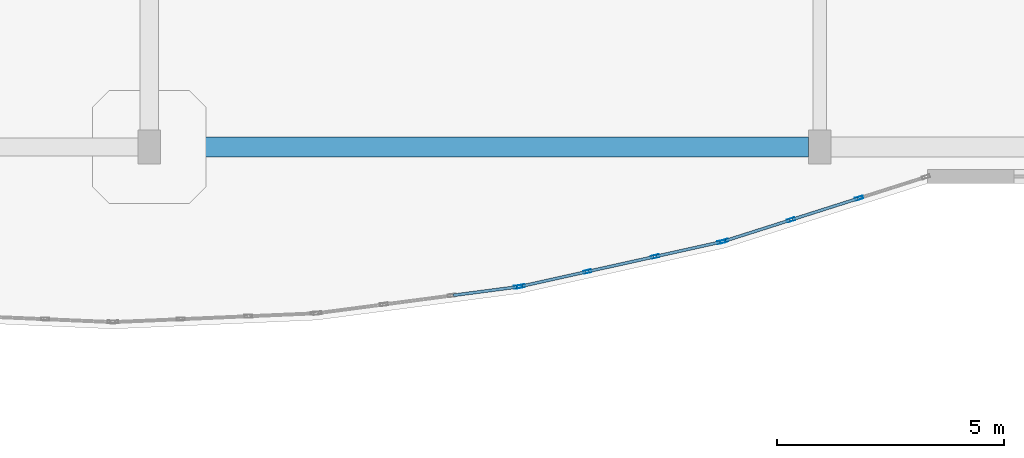
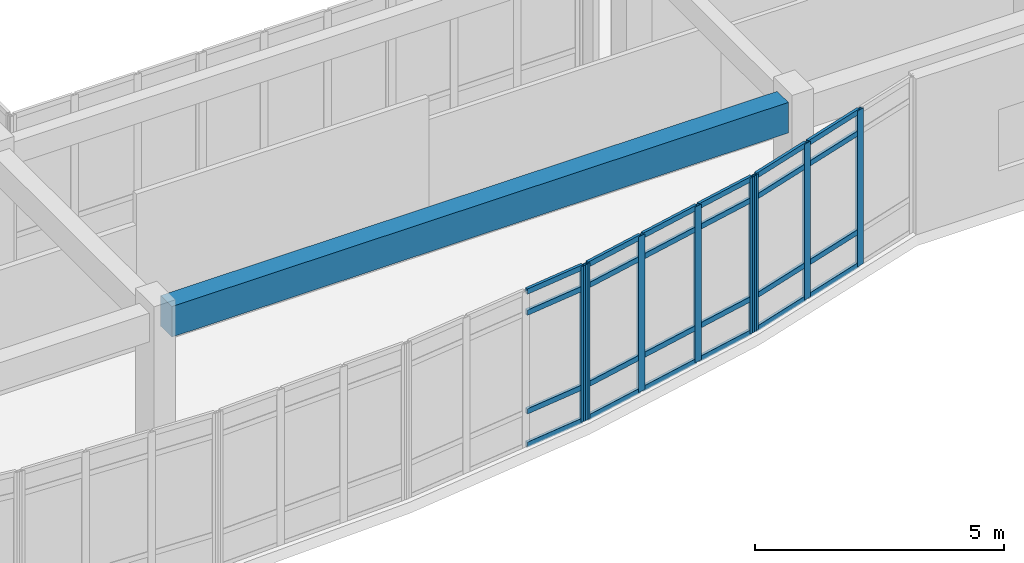
# One storey, part 91 of 146: 32 members, 1 beam, 3 elements without a shape of their own.
"""IFC4 building model written with IfcOpenShell, lengths in metres."""

from ifc_helpers import new_model, si_unit, direction, frame, origin, origin_2d, place, context, subcontext, project, spatial, rectangle, hollow_rectangle, extrude, material, layer, layer_set, material_profile, profile_set, type_object, element, aggregate, save


model = new_model("IFC4")

# Units and contexts
model_context = context("Model", 3, precision=1e-05, world=origin(), true_north=direction((0.0, 1.0)))
body_context = subcontext(model_context, "Body", "Model", "MODEL_VIEW")
ifc_project = project(units=[si_unit("LENGTHUNIT", "METRE"), si_unit("AREAUNIT", "SQUARE_METRE"), si_unit("VOLUMEUNIT", "CUBIC_METRE"), si_unit("PLANEANGLEUNIT", "RADIAN"), si_unit("MASSUNIT", "GRAM", prefix="KILO")], contexts=[model_context])

# Site, building, storey
site_placement = place(None, origin())
site = spatial("IfcSite", under=ifc_project, at=site_placement, CompositionType="ELEMENT")
building_placement = place(site_placement, origin())
building = spatial("IfcBuilding", under=site, at=building_placement, Name="Valcora Specialist Clinic", CompositionType="ELEMENT")
storey_placement = place(building_placement, frame((0.0, 0.0, 9.52001953125)))
storey = spatial("IfcBuildingStorey", under=building, at=storey_placement, Name="L02", CompositionType="ELEMENT", Elevation=9.52001953125)

# Beam
ifc_material_1 = material(Name="Concrete C40/50", Category="concrete")
ifc_material_profile_1 = material_profile(ifc_material_1, rectangle(XDim=0.449951171875, YDim=0.75, at=origin_2d()), Name="RC-BM-450X750")
ifc_profile_set_1 = profile_set([ifc_material_profile_1], Name="Concrete C40/50")
beam_type = type_object("IfcBeamType", Name="TY-BM-RC450X750", PredefinedType="BEAM", material=ifc_profile_set_1)
beam_placement = place(storey_placement, frame((111.449951171875, 74.800048828125, 3.445068359375), z_axis=(1.0, 0.0, 0.0), x_axis=(0.0, 1.0, 0.0)))
element("IfcBeam", 1, at=beam_placement, inside=storey, type_object=beam_type, Name="Beam BM-L02-0701", PredefinedType="BEAM", context=body_context, shape_type="SweptSolid", body=[
    extrude(rectangle(XDim=0.449951171875, YDim=0.75, at=origin_2d()), origin(), (0.0, 0.0, 1.0), 14.300048828125),
])

# Curtain wall, members
ifc_material_2 = material(Name="Anodized Bronze Aluminium 6063-T6", Category="aluminium")
ifc_layer = layer(ifc_material_2, 0.175048828125)
ifc_layer_set = layer_set([ifc_layer], Name="Anodized Bronze Aluminium 6063-T6")
curtain_wall_type = type_object("IfcCurtainWallType", Name="TY-CW-ARC40", PredefinedType="NOTDEFINED", material=ifc_layer_set)
curtain_wall_1_placement = place(storey_placement, origin())
curtain_wall_1 = element("IfcCurtainWall", 2, at=curtain_wall_1_placement, inside=storey, type_object=curtain_wall_type, Name="Curtain wall CW-L02-085", PredefinedType="NOTDEFINED")
ifc_material_profile_2 = material_profile(ifc_material_2, hollow_rectangle(XDim=0.06494140625, YDim=0.175048828125, WallThickness=0.00390625, at=origin_2d()), Name="AL-MUL-65X175")
ifc_profile_set_2 = profile_set([ifc_material_profile_2], Name="Anodized Bronze Aluminium 6063-T6")
member_type_1 = type_object("IfcMemberType", Name="TY-CWM-65X175", PredefinedType="MULLION", material=ifc_profile_set_2)
member_1_placement = place(storey_placement, frame((126.871337890625, 73.6708984375, 0.0), z_axis=(0.0, 0.0, 1.0), x_axis=(0.303233270958, -0.952916356972, 0.0)))
member_1 = element("IfcMember", 3, at=member_1_placement, type_object=member_type_1, Name="CW-ARC-40 mullion 2", PredefinedType="MULLION", context=body_context, shape_type="SweptSolid", body=[
    extrude(hollow_rectangle(XDim=0.06494140625, YDim=0.175048828125, WallThickness=0.00390625, at=origin_2d()), origin(), (0.0, 0.0, 1.0), 3.820068359375),
])
member_2_placement = place(storey_placement, frame((125.3662109375, 73.19189453125, 0.0), z_axis=(0.0, 0.0, 1.0), x_axis=(0.303233270958, -0.952916356972, 0.0)))
member_2 = element("IfcMember", 4, at=member_2_placement, type_object=member_type_1, Name="CW-ARC-40 mullion 3", PredefinedType="MULLION", context=body_context, shape_type="SweptSolid", body=[
    extrude(hollow_rectangle(XDim=0.06494140625, YDim=0.175048828125, WallThickness=0.00390625, at=origin_2d()), origin(), (0.0, 0.0, 1.0), 3.820068359375),
])
member_3_placement = place(storey_placement, frame((123.891845703125, 72.722900390625, 0.0), z_axis=(0.0, 0.0, 1.0), x_axis=(0.303233270958, -0.952916356972, 0.0)))
member_3 = element("IfcMember", 5, at=member_3_placement, type_object=member_type_1, Name="CW-ARC-40 mullion 4", PredefinedType="MULLION", context=body_context, shape_type="SweptSolid", body=[
    extrude(hollow_rectangle(XDim=0.06494140625, YDim=0.175048828125, WallThickness=0.00390625, at=origin_2d()), origin(), (0.0, 0.0, 1.0), 3.820068359375),
])

curtain_wall_2_placement = place(storey_placement, origin())
curtain_wall_2 = element("IfcCurtainWall", 6, at=curtain_wall_2_placement, inside=storey, type_object=curtain_wall_type, Name="Curtain wall CW-L02-086", PredefinedType="NOTDEFINED")
member_4_placement = place(storey_placement, frame((123.8291015625, 72.7060546875, 0.0), z_axis=(0.0, 0.0, 1.0), x_axis=(0.216518052372, -0.976278614432, 0.0)))
member_4 = element("IfcMember", 7, at=member_4_placement, type_object=member_type_1, Name="CW-ARC-40 mullion 1", PredefinedType="MULLION", context=body_context, shape_type="SweptSolid", body=[
    extrude(hollow_rectangle(XDim=0.06494140625, YDim=0.175048828125, WallThickness=0.00390625, at=origin_2d()), origin(), (0.0, 0.0, 1.0), 3.820068359375),
])
member_5_placement = place(storey_placement, frame((122.365234375, 72.38134765625, 0.0), z_axis=(0.0, 0.0, 1.0), x_axis=(0.216518052372, -0.976278614432, 0.0)))
member_5 = element("IfcMember", 8, at=member_5_placement, type_object=member_type_1, Name="CW-ARC-40 mullion 2", PredefinedType="MULLION", context=body_context, shape_type="SweptSolid", body=[
    extrude(hollow_rectangle(XDim=0.06494140625, YDim=0.175048828125, WallThickness=0.00390625, at=origin_2d()), origin(), (0.0, 0.0, 1.0), 3.820068359375),
])
member_6_placement = place(storey_placement, frame((120.86962890625, 72.049560546875, 0.0), z_axis=(0.0, 0.0, 1.0), x_axis=(0.216518052372, -0.976278614432, 0.0)))
member_6 = element("IfcMember", 9, at=member_6_placement, type_object=member_type_1, Name="CW-ARC-40 mullion 3", PredefinedType="MULLION", context=body_context, shape_type="SweptSolid", body=[
    extrude(hollow_rectangle(XDim=0.06494140625, YDim=0.175048828125, WallThickness=0.00390625, at=origin_2d()), origin(), (0.0, 0.0, 1.0), 3.820068359375),
])
member_7_placement = place(storey_placement, frame((119.40576171875, 71.724853515625, 0.0), z_axis=(0.0, 0.0, 1.0), x_axis=(0.216518052372, -0.976278614432, 0.0)))
member_7 = element("IfcMember", 10, at=member_7_placement, type_object=member_type_1, Name="CW-ARC-40 mullion 4", PredefinedType="MULLION", context=body_context, shape_type="SweptSolid", body=[
    extrude(hollow_rectangle(XDim=0.06494140625, YDim=0.175048828125, WallThickness=0.00390625, at=origin_2d()), origin(), (0.0, 0.0, 1.0), 3.820068359375),
])

# Curtain wall, member
curtain_wall_3_placement = place(storey_placement, origin())
curtain_wall_3 = element("IfcCurtainWall", 11, at=curtain_wall_3_placement, inside=storey, type_object=curtain_wall_type, Name="Curtain wall CW-L02-087", PredefinedType="NOTDEFINED")
member_8_placement = place(storey_placement, frame((119.341796875, 71.713623046875, 0.0), z_axis=(0.0, 0.0, 1.0), x_axis=(0.129999492259, -0.991514060421, 0.0)))
member_8 = element("IfcMember", 12, at=member_8_placement, type_object=member_type_1, Name="CW-ARC-40 mullion 1", PredefinedType="MULLION", context=body_context, shape_type="SweptSolid", body=[
    extrude(hollow_rectangle(XDim=0.06494140625, YDim=0.175048828125, WallThickness=0.00390625, at=origin_2d()), origin(), (0.0, 0.0, 1.0), 3.820068359375),
])

# Member
ifc_material_profile_3 = material_profile(ifc_material_2, hollow_rectangle(XDim=0.06494140625, YDim=0.1298828125, WallThickness=0.00390625, at=origin_2d()), Name="AL-TRN-65X130")
ifc_profile_set_3 = profile_set([ifc_material_profile_3], Name="Anodized Bronze Aluminium 6063-T6")
member_type_2 = type_object("IfcMemberType", Name="TY-CWT-65X130", PredefinedType="USERDEFINED", material=ifc_profile_set_3)
member_9_placement = place(storey_placement, frame((126.840576171875, 73.6611328125, 0.032470703125), z_axis=(-0.952930013692, -0.303190351109, 0.0), x_axis=(0.303190351109, -0.952930013692, 0.0)))
member_9 = element("IfcMember", 13, at=member_9_placement, type_object=member_type_2, Name="CW-ARC-40 transom 2.1", ObjectType="TRANSOM", PredefinedType="USERDEFINED", context=body_context, shape_type="SweptSolid", body=[
    extrude(hollow_rectangle(XDim=0.06494140625, YDim=0.1298828125, WallThickness=0.00390625, at=origin_2d()), origin(), (0.0, 0.0, 1.0), 1.5146484375),
])

member_10_placement = place(storey_placement, frame((126.840576171875, 73.6611328125, 0.85009765625), z_axis=(-0.952930013692, -0.303190351109, 0.0), x_axis=(0.303190351109, -0.952930013692, 0.0)))
member_10 = element("IfcMember", 14, at=member_10_placement, type_object=member_type_2, Name="CW-ARC-40 transom 2.2", ObjectType="TRANSOM", PredefinedType="USERDEFINED", context=body_context, shape_type="SweptSolid", body=[
    extrude(hollow_rectangle(XDim=0.06494140625, YDim=0.1298828125, WallThickness=0.00390625, at=origin_2d()), origin(), (0.0, 0.0, 1.0), 1.5146484375),
])

member_11_placement = place(storey_placement, frame((126.840576171875, 73.6611328125, 3.27001953125), z_axis=(-0.952930013692, -0.303190351109, 0.0), x_axis=(0.303190351109, -0.952930013692, 0.0)))
member_11 = element("IfcMember", 15, at=member_11_placement, type_object=member_type_2, Name="CW-ARC-40 transom 2.3", ObjectType="TRANSOM", PredefinedType="USERDEFINED", context=body_context, shape_type="SweptSolid", body=[
    extrude(hollow_rectangle(XDim=0.06494140625, YDim=0.1298828125, WallThickness=0.00390625, at=origin_2d()), origin(), (0.0, 0.0, 1.0), 1.5146484375),
])

member_12_placement = place(storey_placement, frame((126.840576171875, 73.6611328125, 3.78759765625), z_axis=(-0.952930013692, -0.303190351109, 0.0), x_axis=(0.303190351109, -0.952930013692, 0.0)))
member_12 = element("IfcMember", 16, at=member_12_placement, type_object=member_type_2, Name="CW-ARC-40 transom 2.4", ObjectType="TRANSOM", PredefinedType="USERDEFINED", context=body_context, shape_type="SweptSolid", body=[
    extrude(hollow_rectangle(XDim=0.06494140625, YDim=0.1298828125, WallThickness=0.00390625, at=origin_2d()), origin(), (0.0, 0.0, 1.0), 1.5146484375),
])

member_13_placement = place(storey_placement, frame((125.335205078125, 73.18212890625, 0.032470703125), z_axis=(-0.952910635624, -0.303251249816, 0.0), x_axis=(0.303251249816, -0.952910635624, 0.0)))
member_13 = element("IfcMember", 17, at=member_13_placement, type_object=member_type_2, Name="CW-ARC-40 transom 3.1", ObjectType="TRANSOM", PredefinedType="USERDEFINED", context=body_context, shape_type="SweptSolid", body=[
    extrude(hollow_rectangle(XDim=0.06494140625, YDim=0.1298828125, WallThickness=0.00390625, at=origin_2d()), origin(), (0.0, 0.0, 1.0), 1.482177734375),
])

member_14_placement = place(storey_placement, frame((125.335205078125, 73.18212890625, 0.85009765625), z_axis=(-0.952910635624, -0.303251249816, 0.0), x_axis=(0.303251249816, -0.952910635624, 0.0)))
member_14 = element("IfcMember", 18, at=member_14_placement, type_object=member_type_2, Name="CW-ARC-40 transom 3.2", ObjectType="TRANSOM", PredefinedType="USERDEFINED", context=body_context, shape_type="SweptSolid", body=[
    extrude(hollow_rectangle(XDim=0.06494140625, YDim=0.1298828125, WallThickness=0.00390625, at=origin_2d()), origin(), (0.0, 0.0, 1.0), 1.482177734375),
])

member_15_placement = place(storey_placement, frame((125.335205078125, 73.18212890625, 3.27001953125), z_axis=(-0.952910635624, -0.303251249816, 0.0), x_axis=(0.303251249816, -0.952910635624, 0.0)))
member_15 = element("IfcMember", 19, at=member_15_placement, type_object=member_type_2, Name="CW-ARC-40 transom 3.3", ObjectType="TRANSOM", PredefinedType="USERDEFINED", context=body_context, shape_type="SweptSolid", body=[
    extrude(hollow_rectangle(XDim=0.06494140625, YDim=0.1298828125, WallThickness=0.00390625, at=origin_2d()), origin(), (0.0, 0.0, 1.0), 1.482177734375),
])

member_16_placement = place(storey_placement, frame((125.335205078125, 73.18212890625, 3.78759765625), z_axis=(-0.952910635624, -0.303251249816, 0.0), x_axis=(0.303251249816, -0.952910635624, 0.0)))
member_16 = element("IfcMember", 20, at=member_16_placement, type_object=member_type_2, Name="CW-ARC-40 transom 3.4", ObjectType="TRANSOM", PredefinedType="USERDEFINED", context=body_context, shape_type="SweptSolid", body=[
    extrude(hollow_rectangle(XDim=0.06494140625, YDim=0.1298828125, WallThickness=0.00390625, at=origin_2d()), origin(), (0.0, 0.0, 1.0), 1.482177734375),
])

aggregate(curtain_wall_1, [member_1, member_2, member_3, member_9, member_10, member_11, member_12, member_13, member_14, member_15, member_16])

member_17_placement = place(storey_placement, frame((123.79736328125, 72.698974609375, 0.032470703125), z_axis=(-0.976283078872, -0.216497921256, 0.0), x_axis=(0.216497921256, -0.976283078872, 0.0)))
member_17 = element("IfcMember", 21, at=member_17_placement, type_object=member_type_2, Name="CW-ARC-40 transom 1.1", ObjectType="TRANSOM", PredefinedType="USERDEFINED", context=body_context, shape_type="SweptSolid", body=[
    extrude(hollow_rectangle(XDim=0.06494140625, YDim=0.1298828125, WallThickness=0.00390625, at=origin_2d()), origin(), (0.0, 0.0, 1.0), 1.434326171875),
])

member_18_placement = place(storey_placement, frame((123.79736328125, 72.698974609375, 0.85009765625), z_axis=(-0.976283078872, -0.216497921256, 0.0), x_axis=(0.216497921256, -0.976283078872, 0.0)))
member_18 = element("IfcMember", 22, at=member_18_placement, type_object=member_type_2, Name="CW-ARC-40 transom 1.2", ObjectType="TRANSOM", PredefinedType="USERDEFINED", context=body_context, shape_type="SweptSolid", body=[
    extrude(hollow_rectangle(XDim=0.06494140625, YDim=0.1298828125, WallThickness=0.00390625, at=origin_2d()), origin(), (0.0, 0.0, 1.0), 1.434326171875),
])

member_19_placement = place(storey_placement, frame((123.79736328125, 72.698974609375, 3.27001953125), z_axis=(-0.976283078872, -0.216497921256, 0.0), x_axis=(0.216497921256, -0.976283078872, 0.0)))
member_19 = element("IfcMember", 23, at=member_19_placement, type_object=member_type_2, Name="CW-ARC-40 transom 1.3", ObjectType="TRANSOM", PredefinedType="USERDEFINED", context=body_context, shape_type="SweptSolid", body=[
    extrude(hollow_rectangle(XDim=0.06494140625, YDim=0.1298828125, WallThickness=0.00390625, at=origin_2d()), origin(), (0.0, 0.0, 1.0), 1.434326171875),
])

member_20_placement = place(storey_placement, frame((123.79736328125, 72.698974609375, 3.78759765625), z_axis=(-0.976283078872, -0.216497921256, 0.0), x_axis=(0.216497921256, -0.976283078872, 0.0)))
member_20 = element("IfcMember", 24, at=member_20_placement, type_object=member_type_2, Name="CW-ARC-40 transom 1.4", ObjectType="TRANSOM", PredefinedType="USERDEFINED", context=body_context, shape_type="SweptSolid", body=[
    extrude(hollow_rectangle(XDim=0.06494140625, YDim=0.1298828125, WallThickness=0.00390625, at=origin_2d()), origin(), (0.0, 0.0, 1.0), 1.434326171875),
])

member_21_placement = place(storey_placement, frame((122.33349609375, 72.374267578125, 0.032470703125), z_axis=(-0.976277043921, -0.216525133676, 0.0), x_axis=(0.216525133676, -0.976277043921, 0.0)))
member_21 = element("IfcMember", 25, at=member_21_placement, type_object=member_type_2, Name="CW-ARC-40 transom 2.1", ObjectType="TRANSOM", PredefinedType="USERDEFINED", context=body_context, shape_type="SweptSolid", body=[
    extrude(hollow_rectangle(XDim=0.06494140625, YDim=0.1298828125, WallThickness=0.00390625, at=origin_2d()), origin(), (0.0, 0.0, 1.0), 1.467041015625),
])

member_22_placement = place(storey_placement, frame((122.33349609375, 72.374267578125, 0.85009765625), z_axis=(-0.976277043921, -0.216525133676, 0.0), x_axis=(0.216525133676, -0.976277043921, 0.0)))
member_22 = element("IfcMember", 26, at=member_22_placement, type_object=member_type_2, Name="CW-ARC-40 transom 2.2", ObjectType="TRANSOM", PredefinedType="USERDEFINED", context=body_context, shape_type="SweptSolid", body=[
    extrude(hollow_rectangle(XDim=0.06494140625, YDim=0.1298828125, WallThickness=0.00390625, at=origin_2d()), origin(), (0.0, 0.0, 1.0), 1.467041015625),
])

member_23_placement = place(storey_placement, frame((122.33349609375, 72.374267578125, 3.27001953125), z_axis=(-0.976277043921, -0.216525133676, 0.0), x_axis=(0.216525133676, -0.976277043921, 0.0)))
member_23 = element("IfcMember", 27, at=member_23_placement, type_object=member_type_2, Name="CW-ARC-40 transom 2.3", ObjectType="TRANSOM", PredefinedType="USERDEFINED", context=body_context, shape_type="SweptSolid", body=[
    extrude(hollow_rectangle(XDim=0.06494140625, YDim=0.1298828125, WallThickness=0.00390625, at=origin_2d()), origin(), (0.0, 0.0, 1.0), 1.467041015625),
])

member_24_placement = place(storey_placement, frame((122.33349609375, 72.374267578125, 3.78759765625), z_axis=(-0.976277043921, -0.216525133676, 0.0), x_axis=(0.216525133676, -0.976277043921, 0.0)))
member_24 = element("IfcMember", 28, at=member_24_placement, type_object=member_type_2, Name="CW-ARC-40 transom 2.4", ObjectType="TRANSOM", PredefinedType="USERDEFINED", context=body_context, shape_type="SweptSolid", body=[
    extrude(hollow_rectangle(XDim=0.06494140625, YDim=0.1298828125, WallThickness=0.00390625, at=origin_2d()), origin(), (0.0, 0.0, 1.0), 1.467041015625),
])

member_25_placement = place(storey_placement, frame((120.837890625, 72.04248046875, 0.032470703125), z_axis=(-0.976283078872, -0.216497921256, 0.0), x_axis=(0.216497921256, -0.976283078872, 0.0)))
member_25 = element("IfcMember", 29, at=member_25_placement, type_object=member_type_2, Name="CW-ARC-40 transom 3.1", ObjectType="TRANSOM", PredefinedType="USERDEFINED", context=body_context, shape_type="SweptSolid", body=[
    extrude(hollow_rectangle(XDim=0.06494140625, YDim=0.1298828125, WallThickness=0.00390625, at=origin_2d()), origin(), (0.0, 0.0, 1.0), 1.434326171875),
])

member_26_placement = place(storey_placement, frame((120.837890625, 72.04248046875, 0.85009765625), z_axis=(-0.976283078872, -0.216497921256, 0.0), x_axis=(0.216497921256, -0.976283078872, 0.0)))
member_26 = element("IfcMember", 30, at=member_26_placement, type_object=member_type_2, Name="CW-ARC-40 transom 3.2", ObjectType="TRANSOM", PredefinedType="USERDEFINED", context=body_context, shape_type="SweptSolid", body=[
    extrude(hollow_rectangle(XDim=0.06494140625, YDim=0.1298828125, WallThickness=0.00390625, at=origin_2d()), origin(), (0.0, 0.0, 1.0), 1.434326171875),
])

member_27_placement = place(storey_placement, frame((120.837890625, 72.04248046875, 3.27001953125), z_axis=(-0.976283078872, -0.216497921256, 0.0), x_axis=(0.216497921256, -0.976283078872, 0.0)))
member_27 = element("IfcMember", 31, at=member_27_placement, type_object=member_type_2, Name="CW-ARC-40 transom 3.3", ObjectType="TRANSOM", PredefinedType="USERDEFINED", context=body_context, shape_type="SweptSolid", body=[
    extrude(hollow_rectangle(XDim=0.06494140625, YDim=0.1298828125, WallThickness=0.00390625, at=origin_2d()), origin(), (0.0, 0.0, 1.0), 1.434326171875),
])

member_28_placement = place(storey_placement, frame((120.837890625, 72.04248046875, 3.78759765625), z_axis=(-0.976283078872, -0.216497921256, 0.0), x_axis=(0.216497921256, -0.976283078872, 0.0)))
member_28 = element("IfcMember", 32, at=member_28_placement, type_object=member_type_2, Name="CW-ARC-40 transom 3.4", ObjectType="TRANSOM", PredefinedType="USERDEFINED", context=body_context, shape_type="SweptSolid", body=[
    extrude(hollow_rectangle(XDim=0.06494140625, YDim=0.1298828125, WallThickness=0.00390625, at=origin_2d()), origin(), (0.0, 0.0, 1.0), 1.434326171875),
])

aggregate(curtain_wall_2, [member_4, member_5, member_6, member_7, member_17, member_18, member_19, member_20, member_21, member_22, member_23, member_24, member_25, member_26, member_27, member_28])

member_29_placement = place(storey_placement, frame((119.3095703125, 71.70947265625, 0.032470703125), z_axis=(-0.991520133728, -0.129953162379, 0.0), x_axis=(0.129953162379, -0.991520133728, 0.0)))
member_29 = element("IfcMember", 33, at=member_29_placement, type_object=member_type_2, Name="CW-ARC-40 transom 1.1", ObjectType="TRANSOM", PredefinedType="USERDEFINED", context=body_context, shape_type="SweptSolid", body=[
    extrude(hollow_rectangle(XDim=0.06494140625, YDim=0.1298828125, WallThickness=0.00390625, at=origin_2d()), origin(), (0.0, 0.0, 1.0), 1.410888671875),
])

member_30_placement = place(storey_placement, frame((119.3095703125, 71.70947265625, 0.85009765625), z_axis=(-0.991520133728, -0.129953162379, 0.0), x_axis=(0.129953162379, -0.991520133728, 0.0)))
member_30 = element("IfcMember", 34, at=member_30_placement, type_object=member_type_2, Name="CW-ARC-40 transom 1.2", ObjectType="TRANSOM", PredefinedType="USERDEFINED", context=body_context, shape_type="SweptSolid", body=[
    extrude(hollow_rectangle(XDim=0.06494140625, YDim=0.1298828125, WallThickness=0.00390625, at=origin_2d()), origin(), (0.0, 0.0, 1.0), 1.410888671875),
])

member_31_placement = place(storey_placement, frame((119.3095703125, 71.70947265625, 3.27001953125), z_axis=(-0.991520133728, -0.129953162379, 0.0), x_axis=(0.129953162379, -0.991520133728, 0.0)))
member_31 = element("IfcMember", 35, at=member_31_placement, type_object=member_type_2, Name="CW-ARC-40 transom 1.3", ObjectType="TRANSOM", PredefinedType="USERDEFINED", context=body_context, shape_type="SweptSolid", body=[
    extrude(hollow_rectangle(XDim=0.06494140625, YDim=0.1298828125, WallThickness=0.00390625, at=origin_2d()), origin(), (0.0, 0.0, 1.0), 1.410888671875),
])

member_32_placement = place(storey_placement, frame((119.3095703125, 71.70947265625, 3.78759765625), z_axis=(-0.991520133728, -0.129953162379, 0.0), x_axis=(0.129953162379, -0.991520133728, 0.0)))
member_32 = element("IfcMember", 36, at=member_32_placement, type_object=member_type_2, Name="CW-ARC-40 transom 1.4", ObjectType="TRANSOM", PredefinedType="USERDEFINED", context=body_context, shape_type="SweptSolid", body=[
    extrude(hollow_rectangle(XDim=0.06494140625, YDim=0.1298828125, WallThickness=0.00390625, at=origin_2d()), origin(), (0.0, 0.0, 1.0), 1.410888671875),
])

aggregate(curtain_wall_3, [member_8, member_29, member_30, member_31, member_32])

save(model, "model.ifc")
